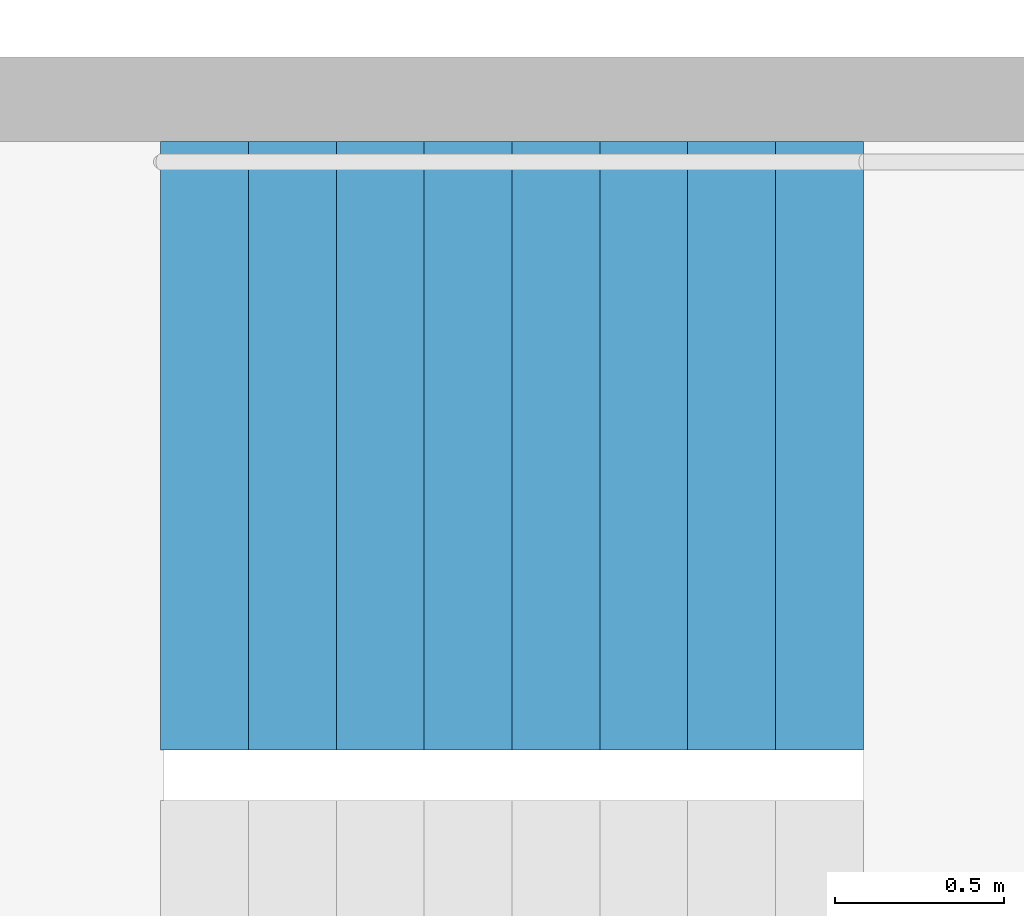
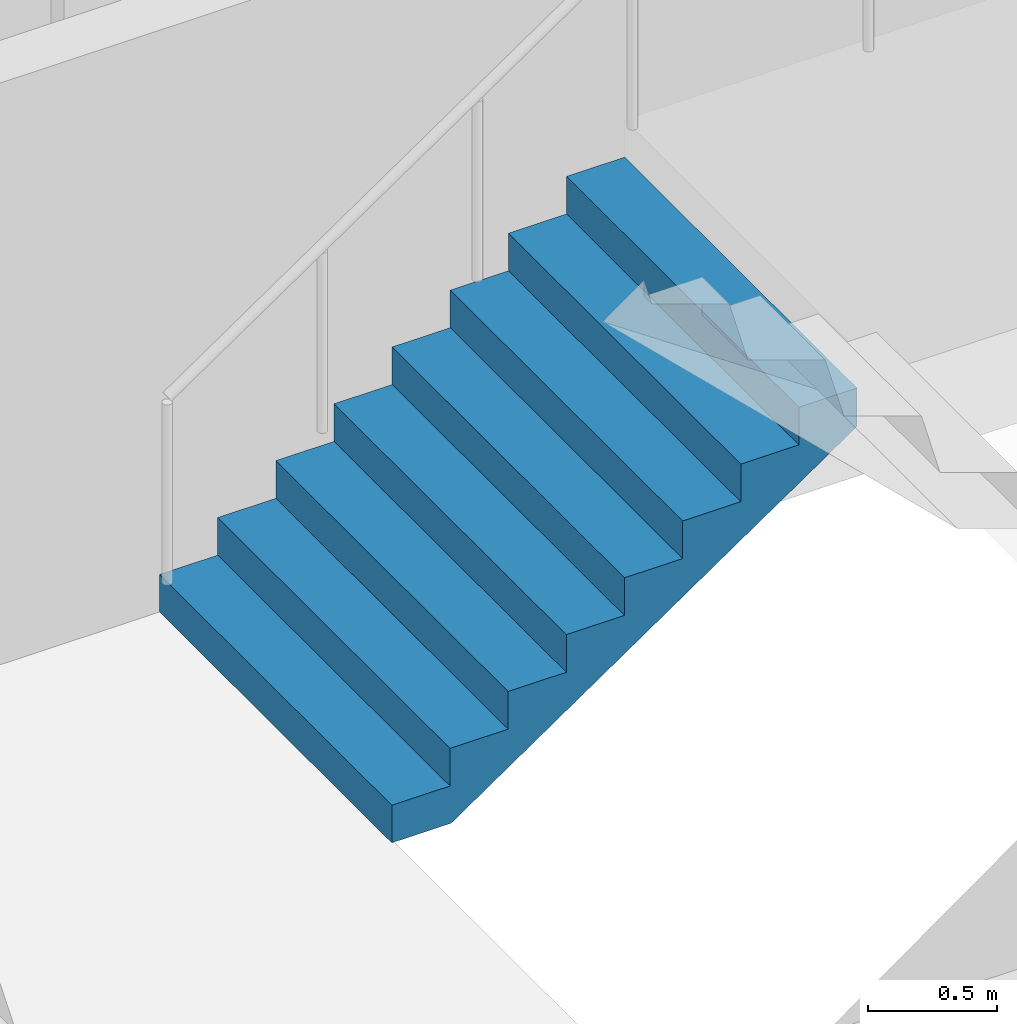
# One storey, part 22 of 29: 1 stair flight, 1 element without a shape of its own.
"""IFC4 building model written with IfcOpenShell, lengths in metres."""

from ifc_helpers import new_model, si_unit, direction, frame, origin, place, context, subcontext, project, spatial, triangles, material, type_object, element, aggregate, save


model = new_model("IFC4")

# Units and contexts
model_context = context("Model", 3, precision=1e-05, world=origin(), true_north=direction((0.0, 1.0)))
body_context = subcontext(model_context, "Body", "Model", "MODEL_VIEW")
ifc_project = project(units=[si_unit("LENGTHUNIT", "METRE"), si_unit("AREAUNIT", "SQUARE_METRE"), si_unit("VOLUMEUNIT", "CUBIC_METRE"), si_unit("PLANEANGLEUNIT", "RADIAN"), si_unit("MASSUNIT", "GRAM", prefix="KILO")], contexts=[model_context])

# Site, building, storey
site_placement = place(None, origin())
site = spatial("IfcSite", under=ifc_project, at=site_placement, CompositionType="ELEMENT")
building_placement = place(site_placement, origin())
building = spatial("IfcBuilding", under=site, at=building_placement, Name="Hakoniwa Tower and Hamabe Station Hall", CompositionType="ELEMENT")
storey_placement = place(building_placement, frame((0.0, 0.0, 205.800048828125)))
storey = spatial("IfcBuildingStorey", under=building, at=storey_placement, Name="L58", CompositionType="ELEMENT", Elevation=205.800048828125)

# Stair, stair flight
ifc_material_1 = material(Name="Concrete C40", Category="concrete")
stair_type = type_object("IfcStairType", Name="ESCAPE STAIR 1800", PredefinedType="HALF_TURN_STAIR", material=ifc_material_1)
stair_placement = place(storey_placement, origin())
stair = element("IfcStair", 1, at=stair_placement, inside=storey, type_object=stair_type, Name="Escape stair ST-4 L58", PredefinedType="HALF_TURN_STAIR")
ifc_material_2 = material(Name="Concrete C40", Category="concrete")
stair_flight_type = type_object("IfcStairFlightType", Name="STAIR FLIGHT 1800", PredefinedType="STRAIGHT", material=ifc_material_2)
stair_flight_placement = place(storey_placement, frame((23.39990234375, -4.64990234375, 0.0), z_axis=(0.0, 0.0, 1.0), x_axis=(1.0, 0.0, 0.0)))
stair_flight = element("IfcStairFlight", 2, at=stair_flight_placement, type_object=stair_flight_type, Name="ST-4 flight 1", NumberOfRisers=9, NumberOfTreads=8, PredefinedType="STRAIGHT", RiserHeight=0.177777778, TreadLength=0.26, context=body_context, shape_type="Tessellation", body=[
    triangles([(0.0, 0.89990234375, 0.0), (0.260009765625, 0.89990234375, 0.0), (0.265625, 0.89990234375, 0.0), (0.52001953125, 0.89990234375, 0.174072265625), (0.780029296875, 0.89990234375, 0.351806640625), (1.0400390625, 0.89990234375, 0.529541015625), (1.300048828125, 0.89990234375, 0.707275390625), (1.56005859375, 0.89990234375, 0.885009765625), (1.820068359375, 0.89990234375, 1.062744140625), (2.080078125, 0.89990234375, 1.24072265625), (2.080078125, 0.89990234375, 1.422119140625), (1.820068359375, 0.89990234375, 1.422119140625), (1.820068359375, 0.89990234375, 1.244384765625), (1.56005859375, 0.89990234375, 1.244384765625), (1.56005859375, 0.89990234375, 1.066650390625), (1.300048828125, 0.89990234375, 1.066650390625), (1.300048828125, 0.89990234375, 0.888916015625), (1.0400390625, 0.89990234375, 0.888916015625), (1.0400390625, 0.89990234375, 0.711181640625), (0.780029296875, 0.89990234375, 0.711181640625), (0.780029296875, 0.89990234375, 0.533447265625), (0.52001953125, 0.89990234375, 0.533447265625), (0.52001953125, 0.89990234375, 0.35546875), (0.265625, 0.89990234375, 0.35546875), (0.260009765625, 0.89990234375, 0.35546875), (0.260009765625, 0.89990234375, 0.177734375), (0.0, 0.89990234375, 0.177734375), (0.0, 0.06005859375, 0.0), (0.260009765625, 0.06005859375, 0.0), (0.265625, 0.06005859375, 0.0), (0.52001953125, 0.06005859375, 0.174072265625), (0.780029296875, 0.06005859375, 0.351806640625), (1.0400390625, 0.06005859375, 0.529541015625), (1.300048828125, 0.06005859375, 0.707275390625), (1.56005859375, 0.06005859375, 0.885009765625), (1.820068359375, 0.06005859375, 1.062744140625), (2.080078125, 0.06005859375, 1.24072265625), (2.080078125, 0.06005859375, 1.422119140625), (1.820068359375, 0.06005859375, 1.422119140625), (1.820068359375, 0.06005859375, 1.244384765625), (1.56005859375, 0.06005859375, 1.244384765625), (1.56005859375, 0.06005859375, 1.066650390625), (1.300048828125, 0.06005859375, 1.066650390625), (1.300048828125, 0.06005859375, 0.888916015625), (1.0400390625, 0.06005859375, 0.888916015625), (1.0400390625, 0.06005859375, 0.711181640625), (0.780029296875, 0.06005859375, 0.711181640625), (0.780029296875, 0.06005859375, 0.533447265625), (0.52001953125, 0.06005859375, 0.533447265625), (0.52001953125, 0.06005859375, 0.35546875), (0.265625, 0.06005859375, 0.35546875), (0.260009765625, 0.06005859375, 0.35546875), (0.260009765625, 0.06005859375, 0.177734375), (0.0, 0.06005859375, 0.177734375), (0.0, 0.04296875, 0.0), (0.260009765625, 0.04296875, 0.0), (0.265625, 0.04296875, 0.0), (0.52001953125, 0.04296875, 0.174072265625), (0.780029296875, 0.04296875, 0.351806640625), (1.0400390625, 0.04296875, 0.529541015625), (1.300048828125, 0.04296875, 0.707275390625), (1.56005859375, 0.04296875, 0.885009765625), (1.820068359375, 0.04296875, 1.062744140625), (2.080078125, 0.04296875, 1.24072265625), (2.080078125, 0.04296875, 1.422119140625), (1.820068359375, 0.04296875, 1.422119140625), (1.820068359375, 0.04296875, 1.244384765625), (1.56005859375, 0.04296875, 1.244384765625), (1.56005859375, 0.04296875, 1.066650390625), (1.300048828125, 0.04296875, 1.066650390625), (1.300048828125, 0.04296875, 0.888916015625), (1.0400390625, 0.04296875, 0.888916015625), (1.0400390625, 0.04296875, 0.711181640625), (0.780029296875, 0.04296875, 0.711181640625), (0.780029296875, 0.04296875, 0.533447265625), (0.52001953125, 0.04296875, 0.533447265625), (0.52001953125, 0.04296875, 0.35546875), (0.265625, 0.04296875, 0.35546875), (0.260009765625, 0.04296875, 0.35546875), (0.260009765625, 0.04296875, 0.177734375), (0.0, 0.04296875, 0.177734375), (0.0, 0.025634765625, 0.0), (0.260009765625, 0.025634765625, 0.0), (0.265625, 0.025634765625, 0.0), (0.52001953125, 0.025634765625, 0.174072265625), (0.780029296875, 0.025634765625, 0.351806640625), (1.0400390625, 0.025634765625, 0.529541015625), (1.300048828125, 0.025634765625, 0.707275390625), (1.56005859375, 0.025634765625, 0.885009765625), (1.820068359375, 0.025634765625, 1.062744140625), (2.080078125, 0.025634765625, 1.24072265625), (2.080078125, 0.025634765625, 1.422119140625), (1.820068359375, 0.025634765625, 1.422119140625), (1.820068359375, 0.025634765625, 1.244384765625), (1.56005859375, 0.025634765625, 1.244384765625), (1.56005859375, 0.025634765625, 1.066650390625), (1.300048828125, 0.025634765625, 1.066650390625), (1.300048828125, 0.025634765625, 0.888916015625), (1.0400390625, 0.025634765625, 0.888916015625), (1.0400390625, 0.025634765625, 0.711181640625), (0.780029296875, 0.025634765625, 0.711181640625), (0.780029296875, 0.025634765625, 0.533447265625), (0.52001953125, 0.025634765625, 0.533447265625), (0.52001953125, 0.025634765625, 0.35546875), (0.265625, 0.025634765625, 0.35546875), (0.260009765625, 0.025634765625, 0.35546875), (0.260009765625, 0.025634765625, 0.177734375), (0.0, 0.025634765625, 0.177734375), (0.0, 0.008544921875, 0.0), (0.260009765625, 0.008544921875, 0.0), (0.265625, 0.008544921875, 0.0), (0.52001953125, 0.008544921875, 0.174072265625), (0.780029296875, 0.008544921875, 0.351806640625), (1.0400390625, 0.008544921875, 0.529541015625), (1.300048828125, 0.008544921875, 0.707275390625), (1.56005859375, 0.008544921875, 0.885009765625), (1.820068359375, 0.008544921875, 1.062744140625), (2.080078125, 0.008544921875, 1.24072265625), (2.080078125, 0.008544921875, 1.422119140625), (1.820068359375, 0.008544921875, 1.422119140625), (1.820068359375, 0.008544921875, 1.244384765625), (1.56005859375, 0.008544921875, 1.244384765625), (1.56005859375, 0.008544921875, 1.066650390625), (1.300048828125, 0.008544921875, 1.066650390625), (1.300048828125, 0.008544921875, 0.888916015625), (1.0400390625, 0.008544921875, 0.888916015625), (1.0400390625, 0.008544921875, 0.711181640625), (0.780029296875, 0.008544921875, 0.711181640625), (0.780029296875, 0.008544921875, 0.533447265625), (0.52001953125, 0.008544921875, 0.533447265625), (0.52001953125, 0.008544921875, 0.35546875), (0.265625, 0.008544921875, 0.35546875), (0.260009765625, 0.008544921875, 0.35546875), (0.260009765625, 0.008544921875, 0.177734375), (0.0, 0.008544921875, 0.177734375), (0.0, -0.008544921875, 0.0), (0.260009765625, -0.008544921875, 0.0), (0.265625, -0.008544921875, 0.0), (0.52001953125, -0.008544921875, 0.174072265625), (0.780029296875, -0.008544921875, 0.351806640625), (1.0400390625, -0.008544921875, 0.529541015625), (1.300048828125, -0.008544921875, 0.707275390625), (1.56005859375, -0.008544921875, 0.885009765625), (1.820068359375, -0.008544921875, 1.062744140625), (2.080078125, -0.008544921875, 1.24072265625), (2.080078125, -0.008544921875, 1.422119140625), (1.820068359375, -0.008544921875, 1.422119140625), (1.820068359375, -0.008544921875, 1.244384765625), (1.56005859375, -0.008544921875, 1.244384765625), (1.56005859375, -0.008544921875, 1.066650390625), (1.300048828125, -0.008544921875, 1.066650390625), (1.300048828125, -0.008544921875, 0.888916015625), (1.0400390625, -0.008544921875, 0.888916015625), (1.0400390625, -0.008544921875, 0.711181640625), (0.780029296875, -0.008544921875, 0.711181640625), (0.780029296875, -0.008544921875, 0.533447265625), (0.52001953125, -0.008544921875, 0.533447265625), (0.52001953125, -0.008544921875, 0.35546875), (0.265625, -0.008544921875, 0.35546875), (0.260009765625, -0.008544921875, 0.35546875), (0.260009765625, -0.008544921875, 0.177734375), (0.0, -0.008544921875, 0.177734375), (0.0, -0.025634765625, 0.0), (0.260009765625, -0.025634765625, 0.0), (0.265625, -0.025634765625, 0.0), (0.52001953125, -0.025634765625, 0.174072265625), (0.780029296875, -0.025634765625, 0.351806640625), (1.0400390625, -0.025634765625, 0.529541015625), (1.300048828125, -0.025634765625, 0.707275390625), (1.56005859375, -0.025634765625, 0.885009765625), (1.820068359375, -0.025634765625, 1.062744140625), (2.080078125, -0.025634765625, 1.24072265625), (2.080078125, -0.025634765625, 1.422119140625), (1.820068359375, -0.025634765625, 1.422119140625), (1.820068359375, -0.025634765625, 1.244384765625), (1.56005859375, -0.025634765625, 1.244384765625), (1.56005859375, -0.025634765625, 1.066650390625), (1.300048828125, -0.025634765625, 1.066650390625), (1.300048828125, -0.025634765625, 0.888916015625), (1.0400390625, -0.025634765625, 0.888916015625), (1.0400390625, -0.025634765625, 0.711181640625), (0.780029296875, -0.025634765625, 0.711181640625), (0.780029296875, -0.025634765625, 0.533447265625), (0.52001953125, -0.025634765625, 0.533447265625), (0.52001953125, -0.025634765625, 0.35546875), (0.265625, -0.025634765625, 0.35546875), (0.260009765625, -0.025634765625, 0.35546875), (0.260009765625, -0.025634765625, 0.177734375), (0.0, -0.025634765625, 0.177734375), (0.0, -0.04296875, 0.0), (0.260009765625, -0.04296875, 0.0), (0.265625, -0.04296875, 0.0), (0.52001953125, -0.04296875, 0.174072265625), (0.780029296875, -0.04296875, 0.351806640625), (1.0400390625, -0.04296875, 0.529541015625), (1.300048828125, -0.04296875, 0.707275390625), (1.56005859375, -0.04296875, 0.885009765625), (1.820068359375, -0.04296875, 1.062744140625), (2.080078125, -0.04296875, 1.24072265625), (2.080078125, -0.04296875, 1.422119140625), (1.820068359375, -0.04296875, 1.422119140625), (1.820068359375, -0.04296875, 1.244384765625), (1.56005859375, -0.04296875, 1.244384765625), (1.56005859375, -0.04296875, 1.066650390625), (1.300048828125, -0.04296875, 1.066650390625), (1.300048828125, -0.04296875, 0.888916015625), (1.0400390625, -0.04296875, 0.888916015625), (1.0400390625, -0.04296875, 0.711181640625), (0.780029296875, -0.04296875, 0.711181640625), (0.780029296875, -0.04296875, 0.533447265625), (0.52001953125, -0.04296875, 0.533447265625), (0.52001953125, -0.04296875, 0.35546875), (0.265625, -0.04296875, 0.35546875), (0.260009765625, -0.04296875, 0.35546875), (0.260009765625, -0.04296875, 0.177734375), (0.0, -0.04296875, 0.177734375), (0.0, -0.06005859375, 0.0), (0.260009765625, -0.06005859375, 0.0), (0.265625, -0.06005859375, 0.0), (0.52001953125, -0.06005859375, 0.174072265625), (0.780029296875, -0.06005859375, 0.351806640625), (1.0400390625, -0.06005859375, 0.529541015625), (1.300048828125, -0.06005859375, 0.707275390625), (1.56005859375, -0.06005859375, 0.885009765625), (1.820068359375, -0.06005859375, 1.062744140625), (2.080078125, -0.06005859375, 1.24072265625), (2.080078125, -0.06005859375, 1.422119140625), (1.820068359375, -0.06005859375, 1.422119140625), (1.820068359375, -0.06005859375, 1.244384765625), (1.56005859375, -0.06005859375, 1.244384765625), (1.56005859375, -0.06005859375, 1.066650390625), (1.300048828125, -0.06005859375, 1.066650390625), (1.300048828125, -0.06005859375, 0.888916015625), (1.0400390625, -0.06005859375, 0.888916015625), (1.0400390625, -0.06005859375, 0.711181640625), (0.780029296875, -0.06005859375, 0.711181640625), (0.780029296875, -0.06005859375, 0.533447265625), (0.52001953125, -0.06005859375, 0.533447265625), (0.52001953125, -0.06005859375, 0.35546875), (0.265625, -0.06005859375, 0.35546875), (0.260009765625, -0.06005859375, 0.35546875), (0.260009765625, -0.06005859375, 0.177734375), (0.0, -0.06005859375, 0.177734375), (0.0, -0.89990234375, 0.0), (0.260009765625, -0.89990234375, 0.0), (0.265625, -0.89990234375, 0.0), (0.52001953125, -0.89990234375, 0.174072265625), (0.780029296875, -0.89990234375, 0.351806640625), (1.0400390625, -0.89990234375, 0.529541015625), (1.300048828125, -0.89990234375, 0.707275390625), (1.56005859375, -0.89990234375, 0.885009765625), (1.820068359375, -0.89990234375, 1.062744140625), (2.080078125, -0.89990234375, 1.24072265625), (2.080078125, -0.89990234375, 1.422119140625), (1.820068359375, -0.89990234375, 1.422119140625), (1.820068359375, -0.89990234375, 1.244384765625), (1.56005859375, -0.89990234375, 1.244384765625), (1.56005859375, -0.89990234375, 1.066650390625), (1.300048828125, -0.89990234375, 1.066650390625), (1.300048828125, -0.89990234375, 0.888916015625), (1.0400390625, -0.89990234375, 0.888916015625), (1.0400390625, -0.89990234375, 0.711181640625), (0.780029296875, -0.89990234375, 0.711181640625), (0.780029296875, -0.89990234375, 0.533447265625), (0.52001953125, -0.89990234375, 0.533447265625), (0.52001953125, -0.89990234375, 0.35546875), (0.265625, -0.89990234375, 0.35546875), (0.260009765625, -0.89990234375, 0.35546875), (0.260009765625, -0.89990234375, 0.177734375), (0.0, -0.89990234375, 0.177734375)], [[2, 27, 26], [245, 269, 270], [2, 1, 27], [245, 270, 244], [3, 25, 24], [246, 267, 268], [3, 26, 25], [246, 268, 269], [3, 2, 26], [246, 269, 245], [4, 24, 23], [247, 266, 267], [4, 3, 24], [247, 267, 246], [5, 22, 21], [248, 264, 265], [5, 23, 22], [248, 265, 266], [5, 4, 23], [248, 266, 247], [6, 20, 19], [249, 262, 263], [6, 21, 20], [249, 263, 264], [6, 5, 21], [249, 264, 248], [7, 18, 17], [250, 260, 261], [7, 19, 18], [250, 261, 262], [7, 6, 19], [250, 262, 249], [8, 16, 15], [251, 258, 259], [8, 17, 16], [251, 259, 260], [8, 7, 17], [251, 260, 250], [9, 14, 13], [252, 256, 257], [9, 15, 14], [252, 257, 258], [9, 8, 15], [252, 258, 251], [10, 12, 11], [253, 254, 255], [10, 13, 12], [253, 255, 256], [10, 9, 13], [253, 256, 252], [1, 2, 29], [1, 29, 28], [28, 29, 56], [28, 56, 55], [55, 56, 83], [55, 83, 82], [82, 83, 110], [82, 110, 109], [109, 110, 137], [109, 137, 136], [136, 137, 164], [136, 164, 163], [163, 164, 191], [163, 191, 190], [190, 191, 218], [190, 218, 217], [217, 218, 245], [217, 245, 244], [2, 3, 30], [2, 30, 29], [29, 30, 57], [29, 57, 56], [56, 57, 84], [56, 84, 83], [83, 84, 111], [83, 111, 110], [110, 111, 138], [110, 138, 137], [137, 138, 165], [137, 165, 164], [164, 165, 192], [164, 192, 191], [191, 192, 219], [191, 219, 218], [218, 219, 246], [218, 246, 245], [3, 4, 31], [3, 31, 30], [30, 31, 58], [30, 58, 57], [57, 58, 85], [57, 85, 84], [84, 85, 112], [84, 112, 111], [111, 112, 139], [111, 139, 138], [138, 139, 166], [138, 166, 165], [165, 166, 193], [165, 193, 192], [192, 193, 220], [192, 220, 219], [219, 220, 247], [219, 247, 246], [4, 5, 32], [4, 32, 31], [31, 32, 59], [31, 59, 58], [58, 59, 86], [58, 86, 85], [85, 86, 113], [85, 113, 112], [112, 113, 140], [112, 140, 139], [139, 140, 167], [139, 167, 166], [166, 167, 194], [166, 194, 193], [193, 194, 221], [193, 221, 220], [220, 221, 248], [220, 248, 247], [5, 6, 33], [5, 33, 32], [32, 33, 60], [32, 60, 59], [59, 60, 87], [59, 87, 86], [86, 87, 114], [86, 114, 113], [113, 114, 141], [113, 141, 140], [140, 141, 168], [140, 168, 167], [167, 168, 195], [167, 195, 194], [194, 195, 222], [194, 222, 221], [221, 222, 249], [221, 249, 248], [6, 7, 34], [6, 34, 33], [33, 34, 61], [33, 61, 60], [60, 61, 88], [60, 88, 87], [87, 88, 115], [87, 115, 114], [114, 115, 142], [114, 142, 141], [141, 142, 169], [141, 169, 168], [168, 169, 196], [168, 196, 195], [195, 196, 223], [195, 223, 222], [222, 223, 250], [222, 250, 249], [7, 8, 35], [7, 35, 34], [34, 35, 62], [34, 62, 61], [61, 62, 89], [61, 89, 88], [88, 89, 116], [88, 116, 115], [115, 116, 143], [115, 143, 142], [142, 143, 170], [142, 170, 169], [169, 170, 197], [169, 197, 196], [196, 197, 224], [196, 224, 223], [223, 224, 251], [223, 251, 250], [8, 9, 36], [8, 36, 35], [35, 36, 63], [35, 63, 62], [62, 63, 90], [62, 90, 89], [89, 90, 117], [89, 117, 116], [116, 117, 144], [116, 144, 143], [143, 144, 171], [143, 171, 170], [170, 171, 198], [170, 198, 197], [197, 198, 225], [197, 225, 224], [224, 225, 252], [224, 252, 251], [9, 10, 37], [9, 37, 36], [36, 37, 64], [36, 64, 63], [63, 64, 91], [63, 91, 90], [90, 91, 118], [90, 118, 117], [117, 118, 145], [117, 145, 144], [144, 145, 172], [144, 172, 171], [171, 172, 199], [171, 199, 198], [198, 199, 226], [198, 226, 225], [225, 226, 253], [225, 253, 252], [10, 11, 38], [10, 38, 37], [37, 38, 65], [37, 65, 64], [64, 65, 92], [64, 92, 91], [91, 92, 119], [91, 119, 118], [118, 119, 146], [118, 146, 145], [145, 146, 173], [145, 173, 172], [172, 173, 200], [172, 200, 199], [199, 200, 227], [199, 227, 226], [226, 227, 254], [226, 254, 253], [11, 12, 39], [11, 39, 38], [38, 39, 66], [38, 66, 65], [65, 66, 93], [65, 93, 92], [92, 93, 120], [92, 120, 119], [119, 120, 147], [119, 147, 146], [146, 147, 174], [146, 174, 173], [173, 174, 201], [173, 201, 200], [200, 201, 228], [200, 228, 227], [227, 228, 255], [227, 255, 254], [12, 13, 40], [12, 40, 39], [39, 40, 67], [39, 67, 66], [66, 67, 94], [66, 94, 93], [93, 94, 121], [93, 121, 120], [120, 121, 148], [120, 148, 147], [147, 148, 175], [147, 175, 174], [174, 175, 202], [174, 202, 201], [201, 202, 229], [201, 229, 228], [228, 229, 256], [228, 256, 255], [13, 14, 41], [13, 41, 40], [40, 41, 68], [40, 68, 67], [67, 68, 95], [67, 95, 94], [94, 95, 122], [94, 122, 121], [121, 122, 149], [121, 149, 148], [148, 149, 176], [148, 176, 175], [175, 176, 203], [175, 203, 202], [202, 203, 230], [202, 230, 229], [229, 230, 257], [229, 257, 256], [14, 15, 42], [14, 42, 41], [41, 42, 69], [41, 69, 68], [68, 69, 96], [68, 96, 95], [95, 96, 123], [95, 123, 122], [122, 123, 150], [122, 150, 149], [149, 150, 177], [149, 177, 176], [176, 177, 204], [176, 204, 203], [203, 204, 231], [203, 231, 230], [230, 231, 258], [230, 258, 257], [15, 16, 43], [15, 43, 42], [42, 43, 70], [42, 70, 69], [69, 70, 97], [69, 97, 96], [96, 97, 124], [96, 124, 123], [123, 124, 151], [123, 151, 150], [150, 151, 178], [150, 178, 177], [177, 178, 205], [177, 205, 204], [204, 205, 232], [204, 232, 231], [231, 232, 259], [231, 259, 258], [16, 17, 44], [16, 44, 43], [43, 44, 71], [43, 71, 70], [70, 71, 98], [70, 98, 97], [97, 98, 125], [97, 125, 124], [124, 125, 152], [124, 152, 151], [151, 152, 179], [151, 179, 178], [178, 179, 206], [178, 206, 205], [205, 206, 233], [205, 233, 232], [232, 233, 260], [232, 260, 259], [17, 18, 45], [17, 45, 44], [44, 45, 72], [44, 72, 71], [71, 72, 99], [71, 99, 98], [98, 99, 126], [98, 126, 125], [125, 126, 153], [125, 153, 152], [152, 153, 180], [152, 180, 179], [179, 180, 207], [179, 207, 206], [206, 207, 234], [206, 234, 233], [233, 234, 261], [233, 261, 260], [18, 19, 46], [18, 46, 45], [45, 46, 73], [45, 73, 72], [72, 73, 100], [72, 100, 99], [99, 100, 127], [99, 127, 126], [126, 127, 154], [126, 154, 153], [153, 154, 181], [153, 181, 180], [180, 181, 208], [180, 208, 207], [207, 208, 235], [207, 235, 234], [234, 235, 262], [234, 262, 261], [19, 20, 47], [19, 47, 46], [46, 47, 74], [46, 74, 73], [73, 74, 101], [73, 101, 100], [100, 101, 128], [100, 128, 127], [127, 128, 155], [127, 155, 154], [154, 155, 182], [154, 182, 181], [181, 182, 209], [181, 209, 208], [208, 209, 236], [208, 236, 235], [235, 236, 263], [235, 263, 262], [20, 21, 48], [20, 48, 47], [47, 48, 75], [47, 75, 74], [74, 75, 102], [74, 102, 101], [101, 102, 129], [101, 129, 128], [128, 129, 156], [128, 156, 155], [155, 156, 183], [155, 183, 182], [182, 183, 210], [182, 210, 209], [209, 210, 237], [209, 237, 236], [236, 237, 264], [236, 264, 263], [21, 22, 49], [21, 49, 48], [48, 49, 76], [48, 76, 75], [75, 76, 103], [75, 103, 102], [102, 103, 130], [102, 130, 129], [129, 130, 157], [129, 157, 156], [156, 157, 184], [156, 184, 183], [183, 184, 211], [183, 211, 210], [210, 211, 238], [210, 238, 237], [237, 238, 265], [237, 265, 264], [22, 23, 50], [22, 50, 49], [49, 50, 77], [49, 77, 76], [76, 77, 104], [76, 104, 103], [103, 104, 131], [103, 131, 130], [130, 131, 158], [130, 158, 157], [157, 158, 185], [157, 185, 184], [184, 185, 212], [184, 212, 211], [211, 212, 239], [211, 239, 238], [238, 239, 266], [238, 266, 265], [23, 24, 51], [23, 51, 50], [50, 51, 78], [50, 78, 77], [77, 78, 105], [77, 105, 104], [104, 105, 132], [104, 132, 131], [131, 132, 159], [131, 159, 158], [158, 159, 186], [158, 186, 185], [185, 186, 213], [185, 213, 212], [212, 213, 240], [212, 240, 239], [239, 240, 267], [239, 267, 266], [24, 25, 52], [24, 52, 51], [51, 52, 79], [51, 79, 78], [78, 79, 106], [78, 106, 105], [105, 106, 133], [105, 133, 132], [132, 133, 160], [132, 160, 159], [159, 160, 187], [159, 187, 186], [186, 187, 214], [186, 214, 213], [213, 214, 241], [213, 241, 240], [240, 241, 268], [240, 268, 267], [25, 26, 53], [25, 53, 52], [52, 53, 80], [52, 80, 79], [79, 80, 107], [79, 107, 106], [106, 107, 134], [106, 134, 133], [133, 134, 161], [133, 161, 160], [160, 161, 188], [160, 188, 187], [187, 188, 215], [187, 215, 214], [214, 215, 242], [214, 242, 241], [241, 242, 269], [241, 269, 268], [26, 27, 54], [26, 54, 53], [53, 54, 81], [53, 81, 80], [80, 81, 108], [80, 108, 107], [107, 108, 135], [107, 135, 134], [134, 135, 162], [134, 162, 161], [161, 162, 189], [161, 189, 188], [188, 189, 216], [188, 216, 215], [215, 216, 243], [215, 243, 242], [242, 243, 270], [242, 270, 269], [27, 1, 28], [27, 28, 54], [54, 28, 55], [54, 55, 81], [81, 55, 82], [81, 82, 108], [108, 82, 109], [108, 109, 135], [135, 109, 136], [135, 136, 162], [162, 136, 163], [162, 163, 189], [189, 163, 190], [189, 190, 216], [216, 190, 217], [216, 217, 243], [243, 217, 244], [243, 244, 270]], closed=True),
])
aggregate(stair, [stair_flight])

save(model, "model.ifc")
